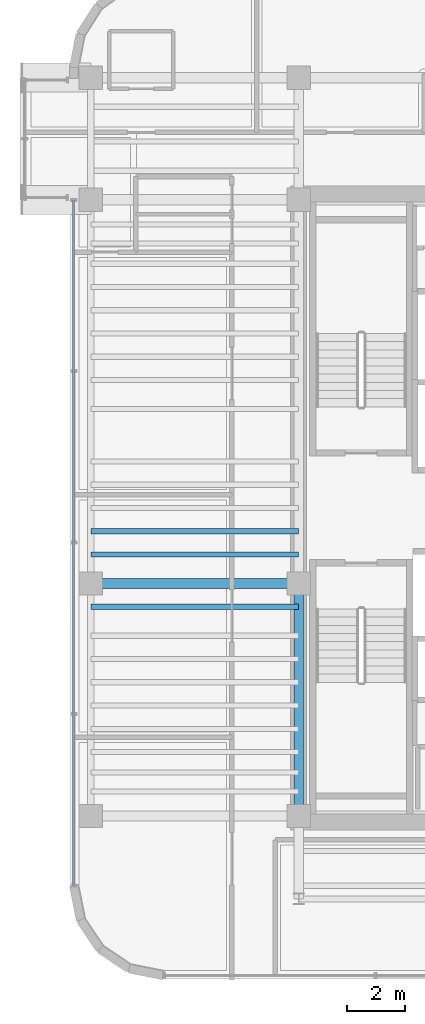
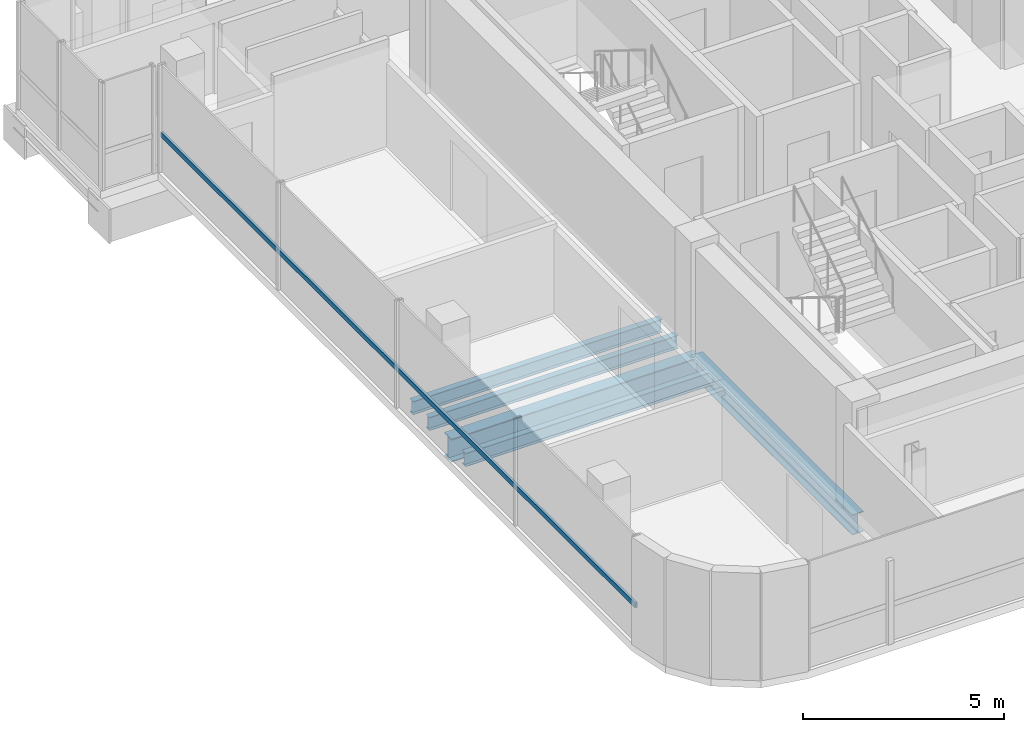
# One storey, part 5 of 21: 5 beams, 1 member, 1 element without a shape of its own.
"""IFC4 building model written with IfcOpenShell, lengths in metres."""

from ifc_helpers import new_model, si_unit, direction, frame, origin, origin_2d, place, context, subcontext, project, spatial, hollow_rectangle, i_section, extrude, source, transform, mapped, material, material_profile, profile_set, type_object, element, aggregate, save


model = new_model("IFC4")

# Units and contexts
model_context = context("Model", 3, precision=1e-05, world=origin(), true_north=direction((0.0, 1.0)))
body_context = subcontext(model_context, "Body", "Model", "MODEL_VIEW")
ifc_project = project(units=[si_unit("LENGTHUNIT", "METRE"), si_unit("AREAUNIT", "SQUARE_METRE"), si_unit("VOLUMEUNIT", "CUBIC_METRE"), si_unit("PLANEANGLEUNIT", "RADIAN"), si_unit("MASSUNIT", "GRAM", prefix="KILO")], contexts=[model_context])

# Site, building, storey
site_placement = place(None, origin())
site = spatial("IfcSite", under=ifc_project, at=site_placement, CompositionType="ELEMENT")
building_placement = place(site_placement, origin())
building = spatial("IfcBuilding", under=site, at=building_placement, Name="Valdorenza Pilgrim Sanctuary Tower", CompositionType="ELEMENT")
storey_placement = place(building_placement, frame((0.0, 0.0, 251.0)))
storey = spatial("IfcBuildingStorey", under=building, at=storey_placement, Name="L65", CompositionType="ELEMENT", Elevation=251.0)

# Beams
ifc_material_1 = material(Name="Steel ASTM A992 Grade 50", Category="steel")
ifc_material_profile_1 = material_profile(ifc_material_1, i_section(OverallWidth=0.323974609375, OverallDepth=0.611083984375, WebThickness=0.0126953125, FlangeThickness=0.01904296875, at=origin_2d()), Name="W24X104")
ifc_profile_set_1 = profile_set([ifc_material_profile_1], Name="Steel ASTM A992 Grade 50")
beam_type_1 = type_object("IfcBeamType", Name="STR-BM-GRD-W24B", PredefinedType="BEAM", material=ifc_profile_set_1)
shared_shape_1 = source(origin(), body_context, "Body", "SweptSolid", [
    extrude(i_section(OverallWidth=0.323974609375, OverallDepth=0.611083984375, WebThickness=0.0126953125, FlangeThickness=0.01904296875, at=origin_2d()), origin(), (0.0, 0.0, 1.0), 8.0),
])
beam_1_placement = place(storey_placement, frame((-22.64990234375, -10.60009765625, -0.54541015625), z_axis=(0.0, 1.0, 0.0), x_axis=(-1.0, 0.0, 0.0)))
element("IfcBeam", 1, at=beam_1_placement, inside=storey, type_object=beam_type_1, Name="L65 Core Tie Girder CA-W-S1M0", PredefinedType="BEAM", context=body_context, shape_type="MappedRepresentation", body=[
    mapped(shared_shape_1, transform((0.0, 0.0, 0.0), x_axis=(1.0, 0.0, 0.0), y_axis=(0.0, 1.0, 0.0), z_axis=(0.0, 0.0, 1.0), scale=1.0)),
])
ifc_material_profile_2 = material_profile(ifc_material_1, i_section(OverallWidth=0.35595703125, OverallDepth=0.700927734375, WebThickness=0.016845703125, FlangeThickness=0.02734375, at=origin_2d()), Name="W27X161")
ifc_profile_set_2 = profile_set([ifc_material_profile_2], Name="Steel ASTM A992 Grade 50")
beam_type_2 = type_object("IfcBeamType", Name="STR-BM-GRD-W27", PredefinedType="BEAM", material=ifc_profile_set_2)
shared_shape_2 = source(origin(), body_context, "Body", "SweptSolid", [
    extrude(i_section(OverallWidth=0.35595703125, OverallDepth=0.700927734375, WebThickness=0.016845703125, FlangeThickness=0.02734375, at=origin_2d()), origin(), (0.0, 0.0, 1.0), 7.150146484375),
])
beam_2_placement = place(storey_placement, frame((-29.800048828125, -2.60009765625, -0.590576171875), z_axis=(1.0, 0.0, 0.0), x_axis=(0.0, 1.0, 0.0)))
element("IfcBeam", 2, at=beam_2_placement, inside=storey, type_object=beam_type_2, Name="L65 Floor Girder WA-XW-M0", PredefinedType="BEAM", context=body_context, shape_type="MappedRepresentation", body=[
    mapped(shared_shape_2, transform((0.0, 0.0, 0.0), x_axis=(1.0, 0.0, 0.0), y_axis=(0.0, 1.0, 0.0), z_axis=(0.0, 0.0, 1.0), scale=1.0)),
])
ifc_material_profile_3 = material_profile(ifc_material_1, i_section(OverallWidth=0.177978515625, OverallDepth=0.406005859375, WebThickness=0.0078125, FlangeThickness=0.0126953125, at=origin_2d()), Name="W16X40")
ifc_profile_set_3 = profile_set([ifc_material_profile_3], Name="Steel ASTM A992 Grade 50")
beam_type_3 = type_object("IfcBeamType", Name="STR-BM-JST-W16", PredefinedType="JOIST", material=ifc_profile_set_3)
shared_shape_3 = source(origin(), body_context, "Body", "SweptSolid", [
    extrude(i_section(OverallWidth=0.177978515625, OverallDepth=0.406005859375, WebThickness=0.0078125, FlangeThickness=0.0126953125, at=origin_2d()), origin(), (0.0, 0.0, 1.0), 7.150146484375),
])
for number, where, z_axis, x_axis, name in (
    (3, (-29.800048828125, -3.39990234375, -0.443115234375), (1.0, 0.0, 0.0), (0.0, 1.0, 0.0), "L65 Composite Floor Joist JST-WA-9"),
    (4, (-29.800048828125, -1.60009765625, -0.443115234375), (1.0, 0.0, 0.0), (0.0, 1.0, 0.0), "L65 Composite Floor Joist JST-WA-10"),
    (5, (-29.800048828125, -0.800048828125, -0.443115234375), (1.0, 0.0, 0.0), (0.0, 1.0, 0.0), "L65 Composite Floor Joist JST-WA-11"),
):
    element("IfcBeam", number, at=place(storey_placement, frame(where, z_axis=z_axis, x_axis=x_axis)), inside=storey, type_object=beam_type_3, Name=name, PredefinedType="JOIST", context=body_context, shape_type="MappedRepresentation", body=[
        mapped(shared_shape_3, transform((0.0, 0.0, 0.0), x_axis=(1.0, 0.0, 0.0), y_axis=(0.0, 1.0, 0.0), z_axis=(0.0, 0.0, 1.0), scale=1.0)),
    ])

# Curtain wall, member
ifc_material_2 = material(Name="Curtain-wall IGU glazing", Category="glass")
curtain_wall_type = type_object("IfcCurtainWallType", Name="CW-SYS-02", PredefinedType="NOTDEFINED", material=ifc_material_2)
curtain_wall_placement = place(storey_placement, origin())
curtain_wall = element("IfcCurtainWall", 6, at=curtain_wall_placement, inside=storey, type_object=curtain_wall_type, Name="L65 Curtain Wall CW-L65-1-1S1", PredefinedType="NOTDEFINED")
ifc_material_3 = material(Name="Anodised aluminium AW-6060", Category="aluminium")
ifc_material_profile_4 = material_profile(ifc_material_3, hollow_rectangle(XDim=0.074951171875, YDim=0.14990234375, WallThickness=0.00390625, at=origin_2d()), Name="ALU-T 150x75x4")
ifc_profile_set_4 = profile_set([ifc_material_profile_4], Name="Anodised aluminium AW-6060")
member_type = type_object("IfcMemberType", Name="CW-TRN-02", PredefinedType="USERDEFINED", material=ifc_profile_set_4)
shared_shape_4 = source(origin(), body_context, "Body", "SweptSolid", [
    extrude(hollow_rectangle(XDim=0.074951171875, YDim=0.14990234375, WallThickness=0.00390625, at=origin_2d()), origin(), (0.0, 0.0, 1.0), 23.58935546875),
])
member_placement = place(storey_placement, frame((-30.389892578125, -12.9892578125, 1.1201171875), z_axis=(0.0, 1.0, 0.0), x_axis=(-1.0, 0.0, 0.0)))
member = element("IfcMember", 7, at=member_placement, type_object=member_type, Name="CW-L65-1-1S1 Transom 1", ObjectType="TRANSOM", PredefinedType="USERDEFINED", context=body_context, shape_type="MappedRepresentation", body=[
    mapped(shared_shape_4, transform((0.0, 0.0, 0.0), x_axis=(1.0, 0.0, 0.0), y_axis=(0.0, 1.0, 0.0), z_axis=(0.0, 0.0, 1.0), scale=1.0)),
])
aggregate(curtain_wall, [member])

save(model, "model.ifc")
